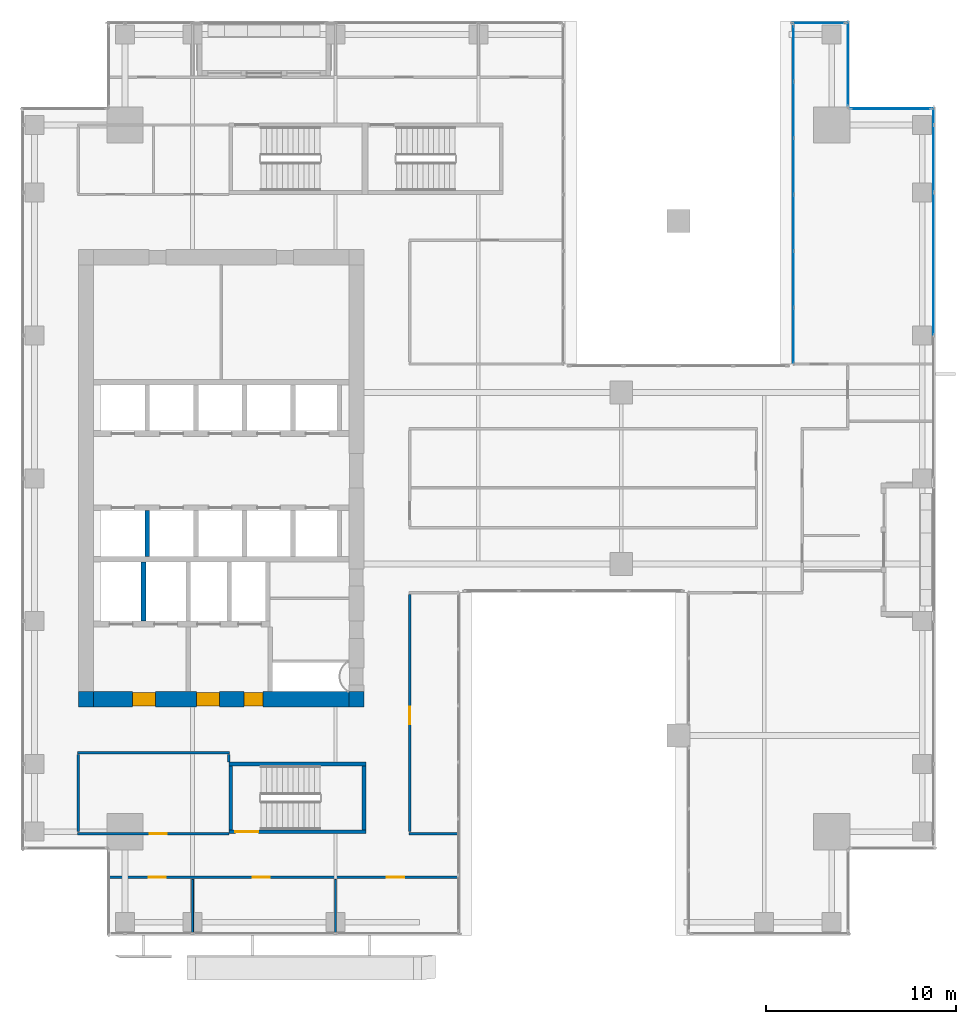
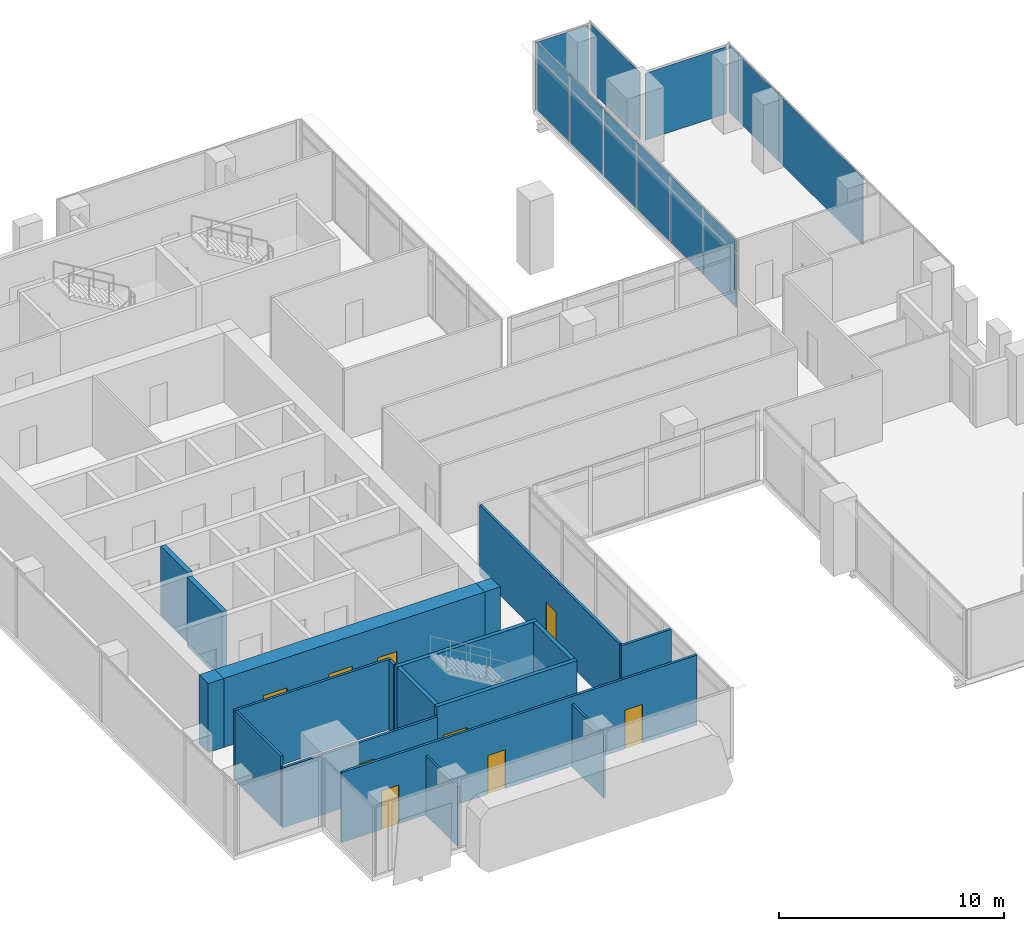
# One storey, part 31 of 37: 18 plates, 18 walls, 9 doors, 9 openings, 5 elements without a shape of their own.
"""IFC4 building model written with IfcOpenShell, lengths in metres."""

from ifc_helpers import new_model, si_unit, direction, frame, frame_2d, origin, origin_2d, place, context, subcontext, project, spatial, rectangle, extrude, source, transform, mapped, material, layer, layer_set, type_object, element, fill, aggregate, save


model = new_model("IFC4")

# Units and contexts
model_context = context("Model", 3, precision=1e-05, world=origin(), true_north=direction((0.0, 1.0)))
body_context = subcontext(model_context, "Body", "Model", "MODEL_VIEW")
ifc_project = project(units=[si_unit("LENGTHUNIT", "METRE"), si_unit("AREAUNIT", "SQUARE_METRE"), si_unit("VOLUMEUNIT", "CUBIC_METRE"), si_unit("PLANEANGLEUNIT", "RADIAN"), si_unit("MASSUNIT", "GRAM", prefix="KILO")], contexts=[model_context])

# Site, building, storey
site_placement = place(None, origin())
site = spatial("IfcSite", under=ifc_project, at=site_placement, CompositionType="ELEMENT")
building_placement = place(site_placement, origin())
building = spatial("IfcBuilding", under=site, at=building_placement, Name="Khomas Fold Tower", CompositionType="ELEMENT")
storey_placement = place(building_placement, frame((0.0, 0.0, 168.699951171875)))
storey = spatial("IfcBuildingStorey", under=building, at=storey_placement, Name="L36", CompositionType="ELEMENT", Elevation=168.699951171875)

# Curtain wall, plate
ifc_material_1 = material(Name="Aluminium framed double glazing", Category="aluminium")
curtain_wall_type_1 = type_object("IfcCurtainWallType", Name="SK-Unitised clear-glass wall, office floors CW2", PredefinedType="NOTDEFINED", material=ifc_material_1)
curtain_wall_1_placement = place(storey_placement, origin())
curtain_wall_1 = element("IfcCurtainWall", 1, at=curtain_wall_1_placement, inside=storey, type_object=curtain_wall_type_1, Name="CW2 corner return L36 10", PredefinedType="NOTDEFINED")
ifc_material_2 = material(Name="Clear double glazed unit")
ifc_layer_1 = layer(ifc_material_2, 0.030029296875)
ifc_layer_set_1 = layer_set([ifc_layer_1], Name="Clear double glazed unit")
plate_type_1 = type_object("IfcPlateType", Name="SK-Unitised clear-glass wall, office floors glass panel CW2-P", PredefinedType="CURTAIN_PANEL", material=ifc_layer_set_1)
shared_shape_1 = source(origin(), body_context, "Body", "SweptSolid", [
    extrude(rectangle(XDim=4.3798828125, YDim=0.030029296875, at=origin_2d()), origin(), (0.0, 0.0, 1.0), 3.639892578125),
])
plate_1_placement = place(storey_placement, frame((46.39990234375, 48.75, 0.0), z_axis=(0.0, 0.0, 1.0), x_axis=(0.0, 1.0, 0.0)))
plate_1 = element("IfcPlate", 2, at=plate_1_placement, type_object=plate_type_1, Name="CW2 glass panel 1", PredefinedType="CURTAIN_PANEL", context=body_context, shape_type="MappedRepresentation", body=[
    mapped(shared_shape_1, transform((0.0, 0.0, 0.0))),
])
aggregate(curtain_wall_1, [plate_1])

# Curtain wall, plates
curtain_wall_2_placement = place(storey_placement, origin())
curtain_wall_2 = element("IfcCurtainWall", 3, at=curtain_wall_2_placement, inside=storey, type_object=curtain_wall_type_1, Name="CW2 run L36 08-1", PredefinedType="NOTDEFINED")
shared_shape_2 = source(origin(), body_context, "Body", "SweptSolid", [
    extrude(rectangle(XDim=3.489990234375, YDim=0.030029296875, at=origin_2d()), origin(), (0.0, 0.0, 1.0), 3.639892578125),
])
plate_2_placement = place(storey_placement, frame((50.89990234375, 43.77490234375, 0.0), z_axis=(0.0, 0.0, 1.0), x_axis=(0.0, 1.0, 0.0)))
plate_2 = element("IfcPlate", 4, at=plate_2_placement, type_object=plate_type_1, Name="CW2 glass panel 4", PredefinedType="CURTAIN_PANEL", context=body_context, shape_type="MappedRepresentation", body=[
    mapped(shared_shape_2, transform((0.0, 0.0, 0.0))),
])
shared_shape_3 = source(origin(), body_context, "Body", "SweptSolid", [
    extrude(rectangle(XDim=7.43994140625, YDim=0.030029296875, at=origin_2d()), origin(), (0.0, 0.0, 1.0), 3.639892578125),
])
plate_3_placement = place(storey_placement, frame((50.89990234375, 38.25, 0.0), z_axis=(0.0, 0.0, 1.0), x_axis=(0.0, 1.0, 0.0)))
plate_3 = element("IfcPlate", 5, at=plate_3_placement, type_object=plate_type_1, Name="CW2 glass panel 3", PredefinedType="CURTAIN_PANEL", context=body_context, shape_type="MappedRepresentation", body=[
    mapped(shared_shape_3, transform((0.0, 0.0, 0.0))),
])

# Curtain wall, plate
curtain_wall_3_placement = place(storey_placement, origin())
curtain_wall_3 = element("IfcCurtainWall", 6, at=curtain_wall_3_placement, inside=storey, type_object=curtain_wall_type_1, Name="CW2 corner return L36 09", PredefinedType="NOTDEFINED")
shared_shape_4 = source(origin(), body_context, "Body", "SweptSolid", [
    extrude(rectangle(XDim=4.179931640625, YDim=0.030029296875, at=origin_2d()), origin(), (0.0, 0.0, 1.0), 3.639892578125),
])
plate_4_placement = place(storey_placement, frame((48.64990234375, 46.39990234375, 0.0), z_axis=(0.0, 0.0, 1.0), x_axis=(-1.0, 0.0, 0.0)))
plate_4 = element("IfcPlate", 7, at=plate_4_placement, type_object=plate_type_1, Name="CW2 glass panel 1", PredefinedType="CURTAIN_PANEL", context=body_context, shape_type="MappedRepresentation", body=[
    mapped(shared_shape_4, transform((0.0, 0.0, 0.0))),
])
aggregate(curtain_wall_3, [plate_4])

# Plate
shared_shape_5 = source(origin(), body_context, "Body", "SweptSolid", [
    extrude(rectangle(XDim=0.860107421875, YDim=0.030029296875, at=origin_2d()), origin(), (0.0, 0.0, 1.0), 3.639892578125),
])
plate_5_placement = place(storey_placement, frame((50.89990234375, 46.010009765625, 0.0), z_axis=(0.0, 0.0, 1.0), x_axis=(0.0, 1.0, 0.0)))
plate_5 = element("IfcPlate", 8, at=plate_5_placement, type_object=plate_type_1, Name="CW2 glass panel 5", PredefinedType="CURTAIN_PANEL", context=body_context, shape_type="MappedRepresentation", body=[
    mapped(shared_shape_5, transform((0.0, 0.0, 0.0))),
])

aggregate(curtain_wall_2, [plate_3, plate_2, plate_5])

# Curtain wall, plate
curtain_wall_4_placement = place(storey_placement, origin())
curtain_wall_4 = element("IfcCurtainWall", 9, at=curtain_wall_4_placement, inside=storey, type_object=curtain_wall_type_1, Name="CW2 corner return L36 11", PredefinedType="NOTDEFINED")
shared_shape_6 = source(origin(), body_context, "Body", "SweptSolid", [
    extrude(rectangle(XDim=2.72998046875, YDim=0.030029296875, at=origin_2d()), origin(), (0.0, 0.0, 1.0), 3.639892578125),
])
plate_6_placement = place(storey_placement, frame((44.875, 50.89990234375, 0.0), z_axis=(0.0, 0.0, 1.0), x_axis=(-1.0, 0.0, 0.0)))
plate_6 = element("IfcPlate", 10, at=plate_6_placement, type_object=plate_type_1, Name="CW2 glass panel 1", PredefinedType="CURTAIN_PANEL", context=body_context, shape_type="MappedRepresentation", body=[
    mapped(shared_shape_6, transform((0.0, 0.0, 0.0))),
])
aggregate(curtain_wall_4, [plate_6])

# Curtain wall, plates
ifc_material_3 = material(Name="Aluminium framed double glazing", Category="aluminium")
curtain_wall_type_2 = type_object("IfcCurtainWallType", Name="Notch glazing GN-CW", PredefinedType="NOTDEFINED", material=ifc_material_3)
curtain_wall_5_placement = place(storey_placement, origin())
curtain_wall_5 = element("IfcCurtainWall", 11, at=curtain_wall_5_placement, inside=storey, type_object=curtain_wall_type_2, Name="Notch glazing run", PredefinedType="NOTDEFINED")
ifc_material_4 = material(Name="Double glazed unit")
ifc_layer_2 = layer(ifc_material_4, 0.031982421875)
ifc_layer_set_2 = layer_set([ifc_layer_2], Name="Double glazed unit")
plate_type_2 = type_object("IfcPlateType", Name="Notch glazing panel GN-CW-P", PredefinedType="CURTAIN_PANEL", material=ifc_layer_set_2)
shared_shape_7 = source(origin(), body_context, "Body", "SweptSolid", [
    extrude(rectangle(XDim=2.876708984375, YDim=0.031982421875, at=origin_2d()), origin(), (0.0, 0.0, 1.0), 2.909912109375),
])
plate_7_placement = place(storey_placement, frame((43.550048828125, 49.3017578125, 0.06005859375), z_axis=(0.0, 0.0, 1.0), x_axis=(0.0, -1.0, 0.0)))
plate_7 = element("IfcPlate", 12, at=plate_7_placement, type_object=plate_type_2, Name="GN-CW panel 1.1", PredefinedType="CURTAIN_PANEL", context=body_context, shape_type="MappedRepresentation", body=[
    mapped(shared_shape_7, transform((0.0, 0.0, 0.0))),
])
plate_8_placement = place(storey_placement, frame((43.550048828125, 34.498291015625, 0.06005859375), z_axis=(0.0, 0.0, 1.0), x_axis=(0.0, -1.0, 0.0)))
plate_8 = element("IfcPlate", 13, at=plate_8_placement, type_object=plate_type_2, Name="GN-CW panel 6.1", PredefinedType="CURTAIN_PANEL", context=body_context, shape_type="MappedRepresentation", body=[
    mapped(shared_shape_7, transform((0.0, 0.0, 0.0))),
])
shared_shape_8 = source(origin(), body_context, "Body", "SweptSolid", [
    extrude(rectangle(XDim=2.90673828125, YDim=0.031982421875, at=origin_2d()), origin(), (0.0, 0.0, 1.0), 2.909912109375),
])
plate_9_placement = place(storey_placement, frame((43.550048828125, 46.35009765625, 0.06005859375), z_axis=(0.0, 0.0, 1.0), x_axis=(0.0, -1.0, 0.0)))
plate_9 = element("IfcPlate", 14, at=plate_9_placement, type_object=plate_type_2, Name="GN-CW panel 2.1", PredefinedType="CURTAIN_PANEL", context=body_context, shape_type="MappedRepresentation", body=[
    mapped(shared_shape_8, transform((0.0, 0.0, 0.0))),
])
plate_10_placement = place(storey_placement, frame((43.550048828125, 43.38330078125, 0.06005859375), z_axis=(0.0, 0.0, 1.0), x_axis=(0.0, -1.0, 0.0)))
plate_10 = element("IfcPlate", 15, at=plate_10_placement, type_object=plate_type_2, Name="GN-CW panel 3.1", PredefinedType="CURTAIN_PANEL", context=body_context, shape_type="MappedRepresentation", body=[
    mapped(shared_shape_8, transform((0.0, 0.0, 0.0))),
])
plate_11_placement = place(storey_placement, frame((43.550048828125, 40.416748046875, 0.06005859375), z_axis=(0.0, 0.0, 1.0), x_axis=(0.0, -1.0, 0.0)))
plate_11 = element("IfcPlate", 16, at=plate_11_placement, type_object=plate_type_2, Name="GN-CW panel 4.1", PredefinedType="CURTAIN_PANEL", context=body_context, shape_type="MappedRepresentation", body=[
    mapped(shared_shape_8, transform((0.0, 0.0, 0.0))),
])
plate_12_placement = place(storey_placement, frame((43.550048828125, 37.449951171875, 0.06005859375), z_axis=(0.0, 0.0, 1.0), x_axis=(0.0, -1.0, 0.0)))
plate_12 = element("IfcPlate", 17, at=plate_12_placement, type_object=plate_type_2, Name="GN-CW panel 5.1", PredefinedType="CURTAIN_PANEL", context=body_context, shape_type="MappedRepresentation", body=[
    mapped(shared_shape_8, transform((0.0, 0.0, 0.0))),
])
shared_shape_9 = source(origin(), body_context, "Body", "SweptSolid", [
    extrude(rectangle(XDim=2.876708984375, YDim=0.031982421875, at=origin_2d()), origin(), (0.0, 0.0, 1.0), 0.659912109375),
])
plate_13_placement = place(storey_placement, frame((43.550048828125, 49.3017578125, 3.0302734375), z_axis=(0.0, 0.0, 1.0), x_axis=(0.0, -1.0, 0.0)))
plate_13 = element("IfcPlate", 18, at=plate_13_placement, type_object=plate_type_2, Name="GN-CW panel 1.2", PredefinedType="CURTAIN_PANEL", context=body_context, shape_type="MappedRepresentation", body=[
    mapped(shared_shape_9, transform((0.0, 0.0, 0.0))),
])
plate_14_placement = place(storey_placement, frame((43.550048828125, 34.498291015625, 3.0302734375), z_axis=(0.0, 0.0, 1.0), x_axis=(0.0, -1.0, 0.0)))
plate_14 = element("IfcPlate", 19, at=plate_14_placement, type_object=plate_type_2, Name="GN-CW panel 6.2", PredefinedType="CURTAIN_PANEL", context=body_context, shape_type="MappedRepresentation", body=[
    mapped(shared_shape_9, transform((0.0, 0.0, 0.0))),
])
shared_shape_10 = source(origin(), body_context, "Body", "SweptSolid", [
    extrude(rectangle(XDim=2.90673828125, YDim=0.031982421875, at=origin_2d()), origin(), (0.0, 0.0, 1.0), 0.659912109375),
])
plate_15_placement = place(storey_placement, frame((43.550048828125, 46.35009765625, 3.0302734375), z_axis=(0.0, 0.0, 1.0), x_axis=(0.0, -1.0, 0.0)))
plate_15 = element("IfcPlate", 20, at=plate_15_placement, type_object=plate_type_2, Name="GN-CW panel 2.2", PredefinedType="CURTAIN_PANEL", context=body_context, shape_type="MappedRepresentation", body=[
    mapped(shared_shape_10, transform((0.0, 0.0, 0.0))),
])
plate_16_placement = place(storey_placement, frame((43.550048828125, 43.38330078125, 3.0302734375), z_axis=(0.0, 0.0, 1.0), x_axis=(0.0, -1.0, 0.0)))
plate_16 = element("IfcPlate", 21, at=plate_16_placement, type_object=plate_type_2, Name="GN-CW panel 3.2", PredefinedType="CURTAIN_PANEL", context=body_context, shape_type="MappedRepresentation", body=[
    mapped(shared_shape_10, transform((0.0, 0.0, 0.0))),
])
plate_17_placement = place(storey_placement, frame((43.550048828125, 40.416748046875, 3.0302734375), z_axis=(0.0, 0.0, 1.0), x_axis=(0.0, -1.0, 0.0)))
plate_17 = element("IfcPlate", 22, at=plate_17_placement, type_object=plate_type_2, Name="GN-CW panel 4.2", PredefinedType="CURTAIN_PANEL", context=body_context, shape_type="MappedRepresentation", body=[
    mapped(shared_shape_10, transform((0.0, 0.0, 0.0))),
])
plate_18_placement = place(storey_placement, frame((43.550048828125, 37.449951171875, 3.0302734375), z_axis=(0.0, 0.0, 1.0), x_axis=(0.0, -1.0, 0.0)))
plate_18 = element("IfcPlate", 23, at=plate_18_placement, type_object=plate_type_2, Name="GN-CW panel 5.2", PredefinedType="CURTAIN_PANEL", context=body_context, shape_type="MappedRepresentation", body=[
    mapped(shared_shape_10, transform((0.0, 0.0, 0.0))),
])
aggregate(curtain_wall_5, [plate_7, plate_13, plate_9, plate_15, plate_10, plate_16, plate_11, plate_17, plate_12, plate_18, plate_8, plate_14])

# Wall, openings, doors
ifc_material_5 = material(Name="Concrete C60/75", Category="concrete")
ifc_layer_3 = layer(ifc_material_5, 0.800048828125)
ifc_layer_set_3 = layer_set([ifc_layer_3], Name="Concrete C60/75")
wall_type_1 = type_object("IfcWallType", Name="Core wall 800", PredefinedType="SHEAR", material=ifc_layer_set_3)
shared_shape_11 = source(origin(), body_context, "Body", "SweptSolid", [
    extrude(rectangle(XDim=13.39990234375, YDim=0.800048828125, at=frame_2d((6.699951171875, 0.0))), origin(), (0.0, 0.0, 1.0), 3.75),
])
wall_1_placement = place(storey_placement, frame((6.800048828125, 15.39990234375, 0.0), z_axis=(0.0, 0.0, 1.0), x_axis=(1.0, 0.0, 0.0)))
wall_1 = element("IfcWall", 24, at=wall_1_placement, inside=storey, type_object=wall_type_1, Name="Core wall CW-U-S-L35", PredefinedType="SHEAR", context=body_context, shape_type="MappedRepresentation", body=[
    mapped(shared_shape_11, transform((0.0, 0.0, 0.0))),
])
shared_shape_12 = source(origin(), body_context, "Body", "SweptSolid", [
    extrude(rectangle(XDim=1.199951171875, YDim=2.10009765625, at=frame_2d((0.60009765625, 1.050048828125))), frame((0.0, 0.409912109375, 0.0), z_axis=(0.0, -1.0, 0.0), x_axis=(1.0, 0.0, 0.0)), (0.0, 0.0, 1.0), 0.820068359375),
])
opening_1_placement = place(wall_1_placement, frame((5.39990234375, 0.0, 0.0)))
opening_1 = element("IfcOpeningElement", 25, at=opening_1_placement, cuts=wall_1, Name="Opening 0009", PredefinedType="OPENING", context=body_context, shape_type="MappedRepresentation", body=[
    mapped(shared_shape_12, transform((0.0, 0.0, 0.0))),
])
opening_2_placement = place(wall_1_placement, frame((2.050048828125, 0.0, 0.0)))
opening_2 = element("IfcOpeningElement", 26, at=opening_2_placement, cuts=wall_1, Name="Opening 0009", PredefinedType="OPENING", context=body_context, shape_type="MappedRepresentation", body=[
    mapped(shared_shape_12, transform((0.0, 0.0, 0.0))),
])
shared_shape_13 = source(origin(), body_context, "Body", "SweptSolid", [
    extrude(rectangle(XDim=1.0, YDim=2.10009765625, at=frame_2d((0.5, 1.050048828125))), frame((0.0, 0.409912109375, 0.0), z_axis=(0.0, -1.0, 0.0), x_axis=(1.0, 0.0, 0.0)), (0.0, 0.0, 1.0), 0.820068359375),
])
opening_3_placement = place(wall_1_placement, frame((7.89990234375, 0.0, 0.0)))
opening_3 = element("IfcOpeningElement", 27, at=opening_3_placement, cuts=wall_1, Name="Opening 0010", PredefinedType="OPENING", context=body_context, shape_type="MappedRepresentation", body=[
    mapped(shared_shape_13, transform((0.0, 0.0, 0.0))),
])
ifc_material_6 = material(Name="Steel door leaf", Category="steel")
door_type_1 = type_object("IfcDoorType", Name="Lobby door 1200x2100 right-hand", OperationType="SINGLE_SWING_RIGHT", PredefinedType="DOOR", material=ifc_material_6)
shared_shape_14 = source(origin(), body_context, "Body", "SweptSolid", [
    extrude(rectangle(XDim=1.199951171875, YDim=2.10009765625, at=frame_2d((0.60009765625, 1.050048828125))), frame((0.0, 0.35009765625, 0.0), z_axis=(0.0, -1.0, 0.0), x_axis=(1.0, 0.0, 0.0)), (0.0, 0.0, 1.0), 0.699951171875),
])
door_1_placement = place(opening_1_placement, origin())
door_1 = element("IfcDoor", 28, at=door_1_placement, inside=storey, type_object=door_type_1, Name="Lobby door", OperationType="SINGLE_SWING_RIGHT", OverallHeight=2.10009765625, OverallWidth=1.199951171875, PredefinedType="DOOR", context=body_context, shape_type="MappedRepresentation", body=[
    mapped(shared_shape_14, transform((0.0, 0.0, 0.0))),
])
fill(opening_1, door_1)
door_2_placement = place(opening_2_placement, origin())
door_2 = element("IfcDoor", 29, at=door_2_placement, inside=storey, type_object=door_type_1, Name="Lobby door", OperationType="SINGLE_SWING_RIGHT", OverallHeight=2.10009765625, OverallWidth=1.199951171875, PredefinedType="DOOR", context=body_context, shape_type="MappedRepresentation", body=[
    mapped(shared_shape_14, transform((0.0, 0.0, 0.0))),
])
fill(opening_2, door_2)
ifc_material_7 = material(Name="Steel door leaf", Category="steel")
door_type_2 = type_object("IfcDoorType", Name="Stair door 1000x2100 right-hand", OperationType="SINGLE_SWING_RIGHT", PredefinedType="DOOR", material=ifc_material_7)
shared_shape_15 = source(origin(), body_context, "Body", "SweptSolid", [
    extrude(rectangle(XDim=1.0, YDim=2.10009765625, at=frame_2d((0.5, 1.050048828125))), frame((0.0, 0.35009765625, 0.0), z_axis=(0.0, -1.0, 0.0), x_axis=(1.0, 0.0, 0.0)), (0.0, 0.0, 1.0), 0.699951171875),
])
door_3_placement = place(opening_3_placement, origin())
door_3 = element("IfcDoor", 30, at=door_3_placement, inside=storey, type_object=door_type_2, Name="Stair door", OperationType="SINGLE_SWING_RIGHT", OverallHeight=2.10009765625, OverallWidth=1.0, PredefinedType="DOOR", context=body_context, shape_type="MappedRepresentation", body=[
    mapped(shared_shape_15, transform((0.0, 0.0, 0.0))),
])
fill(opening_3, door_3)

# Walls
ifc_material_8 = material(Name="Concrete C60/75", Category="concrete")
ifc_layer_4 = layer(ifc_material_8, 0.800048828125)
ifc_layer_set_4 = layer_set([ifc_layer_4], Name="Concrete C60/75")
wall_type_2 = type_object("IfcWallType", Name="Core corner wall 800", PredefinedType="SHEAR", material=ifc_layer_set_4)
shared_shape_16 = source(origin(), body_context, "Body", "SweptSolid", [
    extrude(rectangle(XDim=0.800048828125, YDim=0.800048828125, at=frame_2d((0.39990234375, 0.0))), origin(), (0.0, 0.0, 1.0), 3.75),
])
for number, where, z_axis, x_axis, name in (
    (31, (20.199951171875, 15.39990234375, 0.0), (0.0, 0.0, 1.0), (1.0, 0.0, 0.0), "Core wall CW-U-SE-L35"),
    (32, (6.0, 15.39990234375, 0.0), (0.0, 0.0, 1.0), (1.0, 0.0, 0.0), "Core wall CW-U-SW-L35"),
):
    element("IfcWall", number, at=place(storey_placement, frame(where, z_axis=z_axis, x_axis=x_axis)), inside=storey, type_object=wall_type_2, Name=name, PredefinedType="SHEAR", context=body_context, shape_type="MappedRepresentation", body=[
        mapped(shared_shape_16, transform((0.0, 0.0, 0.0))),
    ])
ifc_material_9 = material(Name="Concrete C50/60", Category="concrete")
ifc_layer_5 = layer(ifc_material_9, 0.199951171875)
ifc_layer_set_5 = layer_set([ifc_layer_5], Name="Concrete C50/60")
wall_type_3 = type_object("IfcWallType", Name="Stair wall 200", PredefinedType="SHEAR", material=ifc_layer_set_5)
shared_shape_17 = source(origin(), body_context, "Body", "SweptSolid", [
    extrude(rectangle(XDim=7.2001953125, YDim=0.199951171875, at=frame_2d((3.60009765625, 0.0))), origin(), (0.0, 0.0, 1.0), 3.75),
])
wall_2_placement = place(storey_placement, frame((13.89990234375, 12.0, 0.0), z_axis=(0.0, 0.0, 1.0), x_axis=(1.0, 0.0, 0.0)))
element("IfcWall", 33, at=wall_2_placement, inside=storey, type_object=wall_type_3, Name="Stair wall SW-ST2-NH", PredefinedType="SHEAR", context=body_context, shape_type="MappedRepresentation", body=[
    mapped(shared_shape_17, transform((0.0, 0.0, 0.0))),
])

# Wall, opening, door
wall_3_placement = place(storey_placement, frame((13.89990234375, 8.449951171875, 0.0), z_axis=(0.0, 0.0, 1.0), x_axis=(1.0, 0.0, 0.0)))
wall_3 = element("IfcWall", 34, at=wall_3_placement, inside=storey, type_object=wall_type_3, Name="Stair wall SW-ST2-S", PredefinedType="SHEAR", context=body_context, shape_type="MappedRepresentation", body=[
    mapped(shared_shape_17, transform((0.0, 0.0, 0.0))),
])
shared_shape_18 = source(origin(), body_context, "Body", "SweptSolid", [
    extrude(rectangle(XDim=1.199951171875, YDim=2.10009765625, at=frame_2d((0.60009765625, 1.050048828125))), frame((0.0, 0.10986328125, 0.0), z_axis=(0.0, -1.0, 0.0), x_axis=(1.0, 0.0, 0.0)), (0.0, 0.0, 1.0), 0.219970703125),
])
opening_4_placement = place(wall_3_placement, frame((0.35009765625, 0.0, 0.0)))
opening_4 = element("IfcOpeningElement", 35, at=opening_4_placement, cuts=wall_3, Name="Opening SD-ST2", PredefinedType="OPENING", context=body_context, shape_type="MappedRepresentation", body=[
    mapped(shared_shape_18, transform((0.0, 0.0, 0.0))),
])
ifc_material_10 = material(Name="Steel door leaf", Category="steel")
door_type_3 = type_object("IfcDoorType", Name="Stair door 1200x2100 right-hand", OperationType="SINGLE_SWING_RIGHT", PredefinedType="DOOR", material=ifc_material_10)
shared_shape_19 = source(origin(), body_context, "Body", "SweptSolid", [
    extrude(rectangle(XDim=1.199951171875, YDim=2.10009765625, at=frame_2d((0.60009765625, 1.050048828125))), frame((0.0, 0.02490234375, 0.0), z_axis=(0.0, -1.0, 0.0), x_axis=(1.0, 0.0, 0.0)), (0.0, 0.0, 1.0), 0.050048828125),
])
door_4_placement = place(opening_4_placement, origin())
door_4 = element("IfcDoor", 36, at=door_4_placement, inside=storey, type_object=door_type_3, Name="Stair door", OperationType="SINGLE_SWING_RIGHT", OverallHeight=2.10009765625, OverallWidth=1.199951171875, PredefinedType="DOOR", context=body_context, shape_type="MappedRepresentation", body=[
    mapped(shared_shape_19, transform((0.0, 0.0, 0.0))),
])
fill(opening_4, door_4)

# Walls
shared_shape_20 = source(origin(), body_context, "Body", "SweptSolid", [
    extrude(rectangle(XDim=3.349853515625, YDim=0.199951171875, at=frame_2d((1.6748046875, 0.0))), origin(), (0.0, 0.0, 1.0), 3.75),
])
for number, where, z_axis, x_axis, name in (
    (37, (21.0, 8.550048828125, 0.0), (0.0, 0.0, 1.0), (0.0, 1.0, 0.0), "Stair wall SW-ST2-E"),
    (38, (14.0, 8.550048828125, 0.0), (0.0, 0.0, 1.0), (0.0, 1.0, 0.0), "Stair wall SW-ST2-W"),
):
    element("IfcWall", number, at=place(storey_placement, frame(where, z_axis=z_axis, x_axis=x_axis)), inside=storey, type_object=wall_type_3, Name=name, PredefinedType="SHEAR", context=body_context, shape_type="MappedRepresentation", body=[
        mapped(shared_shape_20, transform((0.0, 0.0, 0.0))),
    ])
ifc_material_11 = material(Name="Concrete C50/60", Category="concrete")
ifc_layer_6 = layer(ifc_material_11, 0.25)
ifc_layer_set_6 = layer_set([ifc_layer_6], Name="Concrete C50/60")
wall_type_4 = type_object("IfcWallType", Name="Shaft wall 250", PredefinedType="STANDARD", material=ifc_layer_set_6)
shared_shape_21 = source(origin(), body_context, "Body", "SweptSolid", [
    extrude(rectangle(XDim=3.10009765625, YDim=0.25, at=frame_2d((1.550048828125, 0.0))), origin(), (0.0, 0.0, 1.0), 3.75),
])
wall_4_placement = place(storey_placement, frame((9.425048828125, 19.5, 0.0), z_axis=(0.0, 0.0, 1.0), x_axis=(0.0, 1.0, 0.0)))
element("IfcWall", 39, at=wall_4_placement, inside=storey, type_object=wall_type_4, Name="Core wall SW-FS-P1", PredefinedType="STANDARD", context=body_context, shape_type="MappedRepresentation", body=[
    mapped(shared_shape_21, transform((0.0, 0.0, 0.0))),
])
shared_shape_22 = source(origin(), body_context, "Body", "SweptSolid", [
    extrude(rectangle(XDim=2.400146484375, YDim=0.25, at=frame_2d((1.2001953125, 0.0))), origin(), (0.0, 0.0, 1.0), 3.75),
])
wall_5_placement = place(storey_placement, frame((9.625, 22.89990234375, 0.0), z_axis=(0.0, 0.0, 1.0), x_axis=(0.0, 1.0, 0.0)))
element("IfcWall", 40, at=wall_5_placement, inside=storey, type_object=wall_type_4, Name="Core wall SW-HRS-P1", PredefinedType="STANDARD", context=body_context, shape_type="MappedRepresentation", body=[
    mapped(shared_shape_22, transform((0.0, 0.0, 0.0))),
])
ifc_material_12 = material(Name="Plasterboard partition")
ifc_layer_7 = layer(ifc_material_12, 0.10009765625)
ifc_layer_set_7 = layer_set([ifc_layer_7], Name="Plasterboard partition")
wall_type_5 = type_object("IfcWallType", Name="Partition PW1 100", PredefinedType="PARTITIONING", material=ifc_layer_set_7)
shared_shape_23 = source(origin(), body_context, "Body", "SweptSolid", [
    extrude(rectangle(XDim=2.800048828125, YDim=0.10009765625, at=frame_2d((1.39990234375, 0.0))), origin(), (0.0, 0.0, 1.0), 3.25),
])
wall_6_placement = place(storey_placement, frame((12.0, 3.14990234375, 0.0), z_axis=(0.0, 0.0, 1.0), x_axis=(0.0, 1.0, 0.0)))
element("IfcWall", 41, at=wall_6_placement, inside=storey, type_object=wall_type_5, Name="Partition", PredefinedType="PARTITIONING", context=body_context, shape_type="MappedRepresentation", body=[
    mapped(shared_shape_23, transform((0.0, 0.0, 0.0))),
])
shared_shape_24 = source(origin(), body_context, "Body", "SweptSolid", [
    extrude(rectangle(XDim=2.800048828125, YDim=0.10009765625, at=frame_2d((1.39990234375, 0.0))), origin(), (0.0, 0.0, 1.0), 3.420166015625),
])
wall_7_placement = place(storey_placement, frame((19.5, 3.14990234375, 0.0), z_axis=(0.0, 0.0, 1.0), x_axis=(0.0, 1.0, 0.0)))
element("IfcWall", 42, at=wall_7_placement, inside=storey, type_object=wall_type_5, Name="Partition", PredefinedType="PARTITIONING", context=body_context, shape_type="MappedRepresentation", body=[
    mapped(shared_shape_24, transform((0.0, 0.0, 0.0))),
])

# Wall, opening, door
ifc_material_13 = material(Name="Plasterboard partition")
ifc_layer_8 = layer(ifc_material_13, 0.125)
ifc_layer_set_8 = layer_set([ifc_layer_8], Name="Plasterboard partition")
wall_type_6 = type_object("IfcWallType", Name="Partition PW2 125", PredefinedType="PARTITIONING", material=ifc_layer_set_8)
shared_shape_25 = source(origin(), body_context, "Body", "SweptSolid", [
    extrude(rectangle(XDim=7.949951171875, YDim=0.125, at=frame_2d((3.97509765625, 0.0))), origin(), (0.0, 0.0, 1.0), 3.25),
])
wall_8_placement = place(storey_placement, frame((5.949951171875, 8.35009765625, 0.0), z_axis=(0.0, 0.0, 1.0), x_axis=(1.0, 0.0, 0.0)))
wall_8 = element("IfcWall", 43, at=wall_8_placement, inside=storey, type_object=wall_type_6, Name="Partition", PredefinedType="PARTITIONING", context=body_context, shape_type="MappedRepresentation", body=[
    mapped(shared_shape_25, transform((0.0, 0.0, 0.0))),
])
shared_shape_26 = source(origin(), body_context, "Body", "SweptSolid", [
    extrude(rectangle(XDim=0.89990234375, YDim=2.10009765625, at=frame_2d((0.449951171875, 1.050048828125))), frame((0.0, 0.072509765625, 0.0), z_axis=(0.0, -1.0, 0.0), x_axis=(1.0, 0.0, 0.0)), (0.0, 0.0, 1.0), 0.14501953125),
])
opening_5_placement = place(wall_8_placement, frame((3.800048828125, 0.0, 0.0)))
opening_5 = element("IfcOpeningElement", 44, at=opening_5_placement, cuts=wall_8, Name="Opening 0007", PredefinedType="OPENING", context=body_context, shape_type="MappedRepresentation", body=[
    mapped(shared_shape_26, transform((0.0, 0.0, 0.0))),
])
ifc_material_14 = material(Name="Timber door leaf", Category="wood")
door_type_4 = type_object("IfcDoorType", Name="Door 900x2100 left-hand", OperationType="SINGLE_SWING_LEFT", PredefinedType="DOOR", material=ifc_material_14)
shared_shape_27 = source(origin(), body_context, "Body", "SweptSolid", [
    extrude(rectangle(XDim=0.89990234375, YDim=2.10009765625, at=frame_2d((0.449951171875, 1.050048828125))), frame((0.0, 0.02490234375, 0.0), z_axis=(0.0, -1.0, 0.0), x_axis=(1.0, 0.0, 0.0)), (0.0, 0.0, 1.0), 0.050048828125),
])
door_5_placement = place(opening_5_placement, origin())
door_5 = element("IfcDoor", 45, at=door_5_placement, inside=storey, type_object=door_type_4, Name="Door", OperationType="SINGLE_SWING_LEFT", OverallHeight=2.10009765625, OverallWidth=0.89990234375, PredefinedType="DOOR", context=body_context, shape_type="MappedRepresentation", body=[
    mapped(shared_shape_27, transform((0.0, 0.0, 0.0))),
])
fill(opening_5, door_5)

# Wall
shared_shape_28 = source(origin(), body_context, "Body", "SweptSolid", [
    extrude(rectangle(XDim=4.050048828125, YDim=0.125, at=frame_2d((2.02490234375, 0.0))), origin(), (0.0, 0.0, 1.0), 3.800048828125),
])
wall_9_placement = place(storey_placement, frame((6.0, 8.449951171875, 0.0), z_axis=(0.0, 0.0, 1.0), x_axis=(0.0, 1.0, 0.0)))
element("IfcWall", 46, at=wall_9_placement, inside=storey, type_object=wall_type_6, Name="Partition", PredefinedType="PARTITIONING", context=body_context, shape_type="MappedRepresentation", body=[
    mapped(shared_shape_28, transform((0.0, 0.0, 0.0))),
])

# Wall, opening, door
shared_shape_29 = source(origin(), body_context, "Body", "SweptSolid", [
    extrude(rectangle(XDim=12.449951171875, YDim=0.125, at=frame_2d((6.22509765625, 0.0))), origin(), (0.0, 0.0, 1.0), 3.800048828125),
])
wall_10_placement = place(storey_placement, frame((23.39990234375, 8.449951171875, 0.0), z_axis=(0.0, 0.0, 1.0), x_axis=(0.0, 1.0, 0.0)))
wall_10 = element("IfcWall", 47, at=wall_10_placement, inside=storey, type_object=wall_type_6, Name="Partition", PredefinedType="PARTITIONING", context=body_context, shape_type="MappedRepresentation", body=[
    mapped(shared_shape_29, transform((0.0, 0.0, 0.0))),
])
opening_6_placement = place(wall_10_placement, frame((5.64990234375, 0.0, 0.0)))
opening_6 = element("IfcOpeningElement", 48, at=opening_6_placement, cuts=wall_10, Name="Opening 0007", PredefinedType="OPENING", context=body_context, shape_type="MappedRepresentation", body=[
    mapped(shared_shape_26, transform((0.0, 0.0, 0.0))),
])
door_6_placement = place(opening_6_placement, origin())
door_6 = element("IfcDoor", 49, at=door_6_placement, inside=storey, type_object=door_type_4, Name="Door", OperationType="SINGLE_SWING_LEFT", OverallHeight=2.10009765625, OverallWidth=0.89990234375, PredefinedType="DOOR", context=body_context, shape_type="MappedRepresentation", body=[
    mapped(shared_shape_27, transform((0.0, 0.0, 0.0))),
])
fill(opening_6, door_6)

# Walls
shared_shape_30 = source(origin(), body_context, "Body", "SweptSolid", [
    extrude(rectangle(XDim=0.39990234375, YDim=0.125, at=frame_2d((0.199951171875, 0.0))), origin(), (0.0, 0.0, 1.0), 3.800048828125),
])
wall_11_placement = place(storey_placement, frame((13.89990234375, 12.10009765625, 0.0), z_axis=(0.0, 0.0, 1.0), x_axis=(0.0, 1.0, 0.0)))
element("IfcWall", 50, at=wall_11_placement, inside=storey, type_object=wall_type_6, Name="Partition", PredefinedType="PARTITIONING", context=body_context, shape_type="MappedRepresentation", body=[
    mapped(shared_shape_30, transform((0.0, 0.0, 0.0))),
])
shared_shape_31 = source(origin(), body_context, "Body", "SweptSolid", [
    extrude(rectangle(XDim=8.0, YDim=0.125, at=frame_2d((4.0, 0.0))), origin(), (0.0, 0.0, 1.0), 3.800048828125),
])
wall_12_placement = place(storey_placement, frame((5.949951171875, 12.60009765625, 0.0), z_axis=(0.0, 0.0, 1.0), x_axis=(1.0, 0.0, 0.0)))
element("IfcWall", 51, at=wall_12_placement, inside=storey, type_object=wall_type_6, Name="Partition", PredefinedType="PARTITIONING", context=body_context, shape_type="MappedRepresentation", body=[
    mapped(shared_shape_31, transform((0.0, 0.0, 0.0))),
])

# Wall, openings, doors
shared_shape_32 = source(origin(), body_context, "Body", "SweptSolid", [
    extrude(rectangle(XDim=18.25, YDim=0.125, at=frame_2d((9.125, 0.0))), origin(), (0.0, 0.0, 1.0), 3.800048828125),
])
wall_13_placement = place(storey_placement, frame((7.64990234375, 6.050048828125, 0.0), z_axis=(0.0, 0.0, 1.0), x_axis=(1.0, 0.0, 0.0)))
wall_13 = element("IfcWall", 52, at=wall_13_placement, inside=storey, type_object=wall_type_6, Name="Partition", PredefinedType="PARTITIONING", context=body_context, shape_type="MappedRepresentation", body=[
    mapped(shared_shape_32, transform((0.0, 0.0, 0.0))),
])
opening_7_placement = place(wall_13_placement, frame((2.050048828125, 0.0, 0.0)))
opening_7 = element("IfcOpeningElement", 53, at=opening_7_placement, cuts=wall_13, Name="Opening 0008", PredefinedType="OPENING", context=body_context, shape_type="MappedRepresentation", body=[
    mapped(shared_shape_26, transform((0.0, 0.0, 0.0))),
])
opening_8_placement = place(wall_13_placement, frame((7.5, 0.0, 0.0)))
opening_8 = element("IfcOpeningElement", 54, at=opening_8_placement, cuts=wall_13, Name="Opening 0007", PredefinedType="OPENING", context=body_context, shape_type="MappedRepresentation", body=[
    mapped(shared_shape_26, transform((0.0, 0.0, 0.0))),
])
opening_9_placement = place(wall_13_placement, frame((14.550048828125, 0.0, 0.0)))
opening_9 = element("IfcOpeningElement", 55, at=opening_9_placement, cuts=wall_13, Name="Opening 0007", PredefinedType="OPENING", context=body_context, shape_type="MappedRepresentation", body=[
    mapped(shared_shape_26, transform((0.0, 0.0, 0.0))),
])
ifc_material_15 = material(Name="Timber door leaf", Category="wood")
door_type_5 = type_object("IfcDoorType", Name="Door 900x2100 right-hand", OperationType="SINGLE_SWING_RIGHT", PredefinedType="DOOR", material=ifc_material_15)
door_7_placement = place(opening_7_placement, origin())
door_7 = element("IfcDoor", 56, at=door_7_placement, inside=storey, type_object=door_type_5, Name="Door", OperationType="SINGLE_SWING_RIGHT", OverallHeight=2.10009765625, OverallWidth=0.89990234375, PredefinedType="DOOR", context=body_context, shape_type="MappedRepresentation", body=[
    mapped(shared_shape_27, transform((0.0, 0.0, 0.0))),
])
fill(opening_7, door_7)
door_8_placement = place(opening_8_placement, origin())
door_8 = element("IfcDoor", 57, at=door_8_placement, inside=storey, type_object=door_type_4, Name="Door", OperationType="SINGLE_SWING_LEFT", OverallHeight=2.10009765625, OverallWidth=0.89990234375, PredefinedType="DOOR", context=body_context, shape_type="MappedRepresentation", body=[
    mapped(shared_shape_27, transform((0.0, 0.0, 0.0))),
])
fill(opening_8, door_8)
door_9_placement = place(opening_9_placement, origin())
door_9 = element("IfcDoor", 58, at=door_9_placement, inside=storey, type_object=door_type_4, Name="Door", OperationType="SINGLE_SWING_LEFT", OverallHeight=2.10009765625, OverallWidth=0.89990234375, PredefinedType="DOOR", context=body_context, shape_type="MappedRepresentation", body=[
    mapped(shared_shape_27, transform((0.0, 0.0, 0.0))),
])
fill(opening_9, door_9)

# Wall
shared_shape_33 = source(origin(), body_context, "Body", "SweptSolid", [
    extrude(rectangle(XDim=2.5498046875, YDim=0.125, at=frame_2d((1.27490234375, 0.0))), origin(), (0.0, 0.0, 1.0), 3.800048828125),
])
wall_14_placement = place(storey_placement, frame((23.35009765625, 8.35009765625, 0.0), z_axis=(0.0, 0.0, 1.0), x_axis=(1.0, 0.0, 0.0)))
element("IfcWall", 59, at=wall_14_placement, inside=storey, type_object=wall_type_6, Name="Partition", PredefinedType="PARTITIONING", context=body_context, shape_type="MappedRepresentation", body=[
    mapped(shared_shape_33, transform((0.0, 0.0, 0.0))),
])

save(model, "model.ifc")
